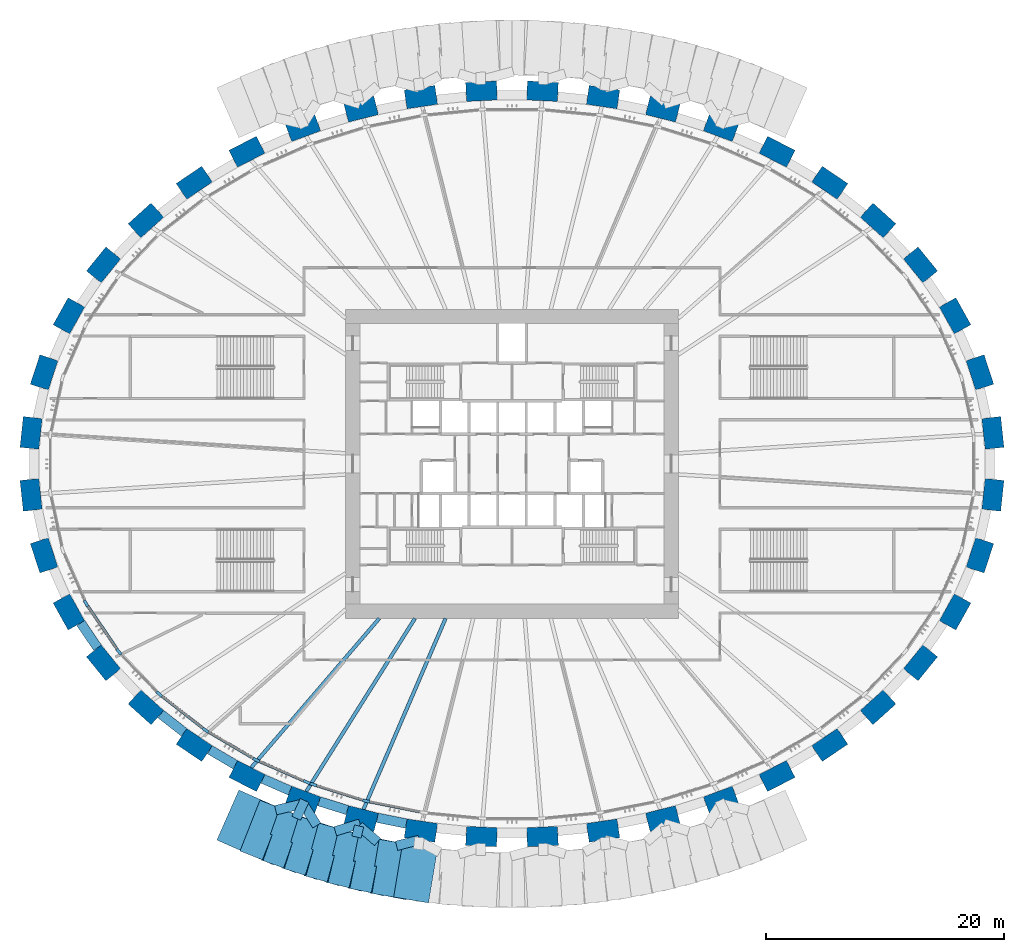
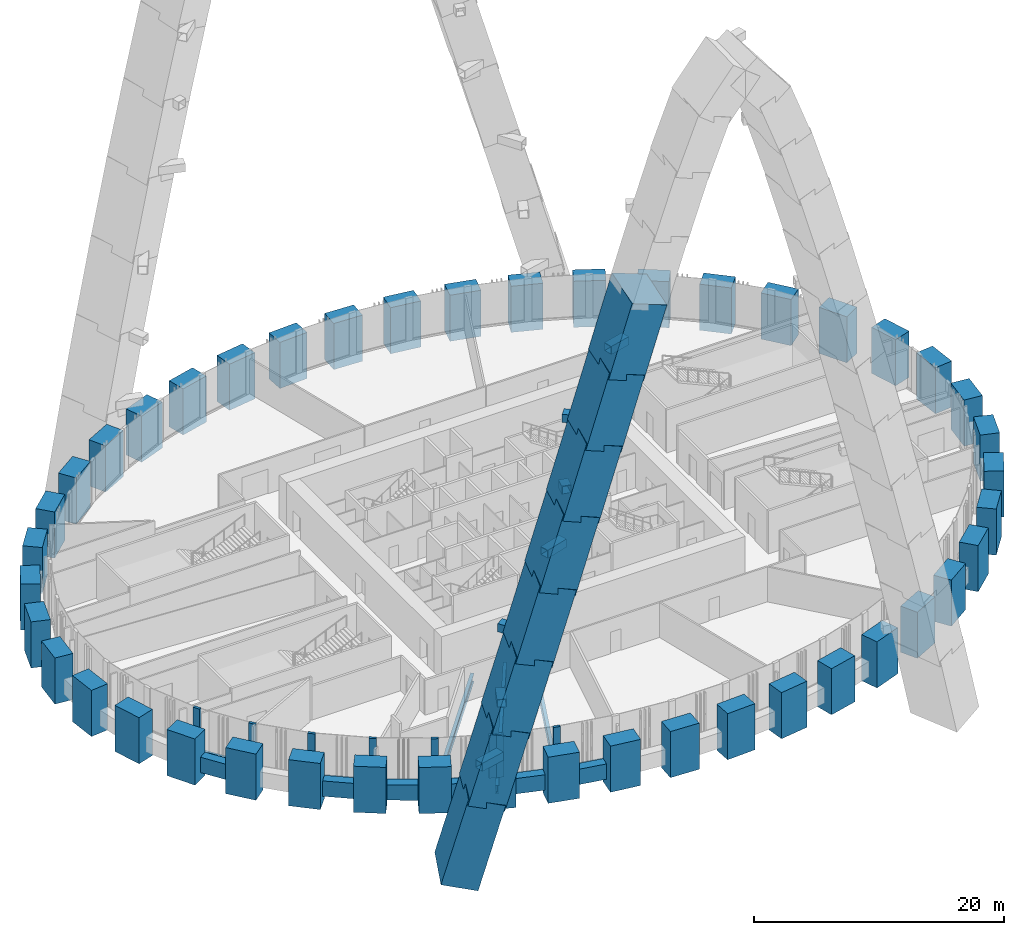
# One storey, part 1 of 23: 44 columns, 29 members, 9 beams, 2 elements without a shape of their own.
"""IFC4 building model written with IfcOpenShell, lengths in metres."""

from ifc_helpers import new_model, si_unit, direction, frame, origin, origin_2d, place, context, subcontext, project, spatial, rectangle, hollow_rectangle, i_section, extrude, source, transform, mapped, material, material_profile, profile_set, type_object, element, aggregate, save


model = new_model("IFC4")

# Units and contexts
model_context = context("Model", 3, precision=1e-05, world=origin(), true_north=direction((0.0, 1.0)))
body_context = subcontext(model_context, "Body", "Model", "MODEL_VIEW")
ifc_project = project(units=[si_unit("LENGTHUNIT", "METRE"), si_unit("AREAUNIT", "SQUARE_METRE"), si_unit("VOLUMEUNIT", "CUBIC_METRE"), si_unit("PLANEANGLEUNIT", "RADIAN"), si_unit("MASSUNIT", "GRAM", prefix="KILO")], contexts=[model_context])

# Site, building, storey
site_placement = place(None, origin())
site = spatial("IfcSite", under=ifc_project, at=site_placement, CompositionType="ELEMENT")
building_placement = place(site_placement, origin())
building = spatial("IfcBuilding", under=site, at=building_placement, Name="Embergate Tower", CompositionType="ELEMENT")
storey_placement = place(building_placement, frame((0.0, 0.0, 29.0)))
storey = spatial("IfcBuildingStorey", under=building, at=storey_placement, Name="L03", CompositionType="ELEMENT", Elevation=29.0)

# Columns
ifc_material_1 = material(Name="Concrete C70", Category="concrete")
ifc_material_profile_1 = material_profile(ifc_material_1, rectangle(XDim=1.60009765625, YDim=2.60009765625, at=origin_2d()), Name="RC 1600x2600")
ifc_profile_set_1 = profile_set([ifc_material_profile_1], Name="Concrete C70")
column_type = type_object("IfcColumnType", Name="Ring column RC 1600x2600 C70", PredefinedType="COLUMN", material=ifc_profile_set_1)
shared_shape_1 = source(origin(), body_context, "Body", "SweptSolid", [
    extrude(rectangle(XDim=1.60009765625, YDim=2.60009765625, at=origin_2d()), origin(), (0.0, 0.0, 1.0), 4.5),
])
for number, where, z_axis, x_axis, name in (
    (1, (40.4560546875, 2.60498046875, -1.5), (0.0, 0.0, 1.0), (0.994287757967, 0.106732630237, 0.0), "COL-L03-00"),
    (2, (39.361083984375, 7.694091796875, -1.5), (0.0, 0.0, 1.0), (0.950754033697, 0.309946394413, 0.0), "COL-L03-01"),
    (3, (37.27490234375, 12.451904296875, -1.5), (0.0, 0.0, 1.0), (0.873500465855, 0.486823311018, 0.0), "COL-L03-02"),
    (4, (34.362060546875, 16.737060546875, -1.5), (0.0, 0.0, 1.0), (0.775925311702, 0.630824786022, 0.0), "COL-L03-03"),
    (5, (30.7958984375, 20.47705078125, -1.5), (0.0, 0.0, 1.0), (0.669221393633, 0.743063070206, 0.0), "COL-L03-04"),
    (6, (26.73193359375, 23.64892578125, -1.5), (0.0, 0.0, 1.0), (0.560407734638, 0.828216862275, 0.0), "COL-L03-05"),
    (7, (22.297119140625, 26.256103515625, -1.5), (0.0, 0.0, 1.0), (0.453010512651, 0.891505174089, 0.0), "COL-L03-06"),
    (8, (17.590087890625, 28.31494140625, -1.5), (0.0, 0.0, 1.0), (0.348343015724, 0.93736713373, 0.0), "COL-L03-07"),
    (9, (12.69091796875, 29.841064453125, -1.5), (0.0, 0.0, 1.0), (0.24650851817, 0.969140624713, 0.0), "COL-L03-08"),
    (10, (7.6630859375, 30.84912109375, -1.5), (0.0, 0.0, 1.0), (0.146929011949, 0.989147039346, 0.0), "COL-L03-09"),
    (11, (2.56201171875, 31.35009765625, -1.5), (0.0, 0.0, 1.0), (0.048814904854, 0.998807841912, 0.0), "COL-L03-10"),
    (12, (-2.56201171875, 31.35009765625, -1.5), (0.0, 0.0, 1.0), (-0.048814904854, 0.998807841912, 0.0), "COL-L03-11"),
    (13, (-7.6630859375, 30.84912109375, -1.5), (0.0, 0.0, 1.0), (-0.146929011949, 0.989147039346, 0.0), "COL-L03-12"),
    (14, (-12.69091796875, 29.841064453125, -1.5), (0.0, 0.0, 1.0), (-0.24650851817, 0.969140624713, 0.0), "COL-L03-13"),
    (15, (-17.590087890625, 28.31494140625, -1.5), (0.0, 0.0, 1.0), (-0.348343015724, 0.93736713373, 0.0), "COL-L03-14"),
    (16, (-22.297119140625, 26.256103515625, -1.5), (0.0, 0.0, 1.0), (-0.453010512651, 0.891505174089, 0.0), "COL-L03-15"),
    (17, (-26.73193359375, 23.64892578125, -1.5), (0.0, 0.0, 1.0), (-0.560407734638, 0.828216862275, 0.0), "COL-L03-16"),
    (18, (-30.7958984375, 20.47705078125, -1.5), (0.0, 0.0, 1.0), (-0.669221393633, 0.743063070206, 0.0), "COL-L03-17"),
    (19, (-34.362060546875, 16.737060546875, -1.5), (0.0, 0.0, 1.0), (-0.775925311702, 0.630824786022, 0.0), "COL-L03-18"),
    (20, (-37.27490234375, 12.451904296875, -1.5), (0.0, 0.0, 1.0), (-0.873500465855, 0.486823311018, 0.0), "COL-L03-19"),
    (21, (-39.361083984375, 7.694091796875, -1.5), (0.0, 0.0, 1.0), (-0.950754033697, 0.309946394413, 0.0), "COL-L03-20"),
    (22, (-40.4560546875, 2.60498046875, -1.5), (0.0, 0.0, 1.0), (-0.994287757967, 0.106732630237, 0.0), "COL-L03-21"),
    (23, (-40.4560546875, -2.60498046875, -1.5), (0.0, 0.0, 1.0), (-0.994287757967, -0.106732630237, 0.0), "COL-L03-22"),
    (24, (-39.361083984375, -7.694091796875, -1.5), (0.0, 0.0, 1.0), (-0.950754033697, -0.309946394413, 0.0), "COL-L03-23"),
    (25, (-37.27490234375, -12.451904296875, -1.5), (0.0, 0.0, 1.0), (-0.873500465855, -0.486823311018, 0.0), "COL-L03-24"),
    (26, (-34.362060546875, -16.737060546875, -1.5), (0.0, 0.0, 1.0), (-0.775925311702, -0.630824786022, 0.0), "COL-L03-25"),
    (27, (-30.7958984375, -20.47705078125, -1.5), (0.0, 0.0, 1.0), (-0.669221393633, -0.743063070206, 0.0), "COL-L03-26"),
    (28, (-26.73193359375, -23.64892578125, -1.5), (0.0, 0.0, 1.0), (-0.560407734638, -0.828216862275, 0.0), "COL-L03-27"),
    (29, (-22.297119140625, -26.256103515625, -1.5), (0.0, 0.0, 1.0), (-0.453010512651, -0.891505174089, 0.0), "COL-L03-28"),
    (30, (-17.590087890625, -28.31494140625, -1.5), (0.0, 0.0, 1.0), (-0.348343015724, -0.93736713373, 0.0), "COL-L03-29"),
    (31, (-12.69091796875, -29.841064453125, -1.5), (0.0, 0.0, 1.0), (-0.24650851817, -0.969140624713, 0.0), "COL-L03-30"),
    (32, (-7.6630859375, -30.84912109375, -1.5), (0.0, 0.0, 1.0), (-0.146929011949, -0.989147039346, 0.0), "COL-L03-31"),
    (33, (-2.56201171875, -31.35009765625, -1.5), (0.0, 0.0, 1.0), (-0.048814904854, -0.998807841912, 0.0), "COL-L03-32"),
    (34, (2.56201171875, -31.35009765625, -1.5), (0.0, 0.0, 1.0), (0.048814904854, -0.998807841912, 0.0), "COL-L03-33"),
    (35, (7.6630859375, -30.84912109375, -1.5), (0.0, 0.0, 1.0), (0.146929011949, -0.989147039346, 0.0), "COL-L03-34"),
    (36, (12.69091796875, -29.841064453125, -1.5), (0.0, 0.0, 1.0), (0.24650851817, -0.969140624713, 0.0), "COL-L03-35"),
    (37, (17.590087890625, -28.31494140625, -1.5), (0.0, 0.0, 1.0), (0.348343015724, -0.93736713373, 0.0), "COL-L03-36"),
    (38, (22.297119140625, -26.256103515625, -1.5), (0.0, 0.0, 1.0), (0.453010512651, -0.891505174089, 0.0), "COL-L03-37"),
    (39, (26.73193359375, -23.64892578125, -1.5), (0.0, 0.0, 1.0), (0.560407734638, -0.828216862275, 0.0), "COL-L03-38"),
    (40, (30.7958984375, -20.47705078125, -1.5), (0.0, 0.0, 1.0), (0.669221393633, -0.743063070206, 0.0), "COL-L03-39"),
    (41, (34.362060546875, -16.737060546875, -1.5), (0.0, 0.0, 1.0), (0.775925311702, -0.630824786022, 0.0), "COL-L03-40"),
    (42, (37.27490234375, -12.451904296875, -1.5), (0.0, 0.0, 1.0), (0.873500465855, -0.486823311018, 0.0), "COL-L03-41"),
    (43, (39.361083984375, -7.694091796875, -1.5), (0.0, 0.0, 1.0), (0.950754033697, -0.309946394413, 0.0), "COL-L03-42"),
    (44, (40.4560546875, -2.60498046875, -1.5), (0.0, 0.0, 1.0), (0.994287757967, -0.106732630237, 0.0), "COL-L03-43"),
):
    element("IfcColumn", number, at=place(storey_placement, frame(where, z_axis=z_axis, x_axis=x_axis)), inside=storey, type_object=column_type, Name=name, PredefinedType="COLUMN", context=body_context, shape_type="MappedRepresentation", body=[
        mapped(shared_shape_1, transform((0.0, 0.0, 0.0))),
    ])

# Beams
ifc_material_profile_2 = material_profile(ifc_material_1, rectangle(XDim=0.800048828125, YDim=1.5, at=origin_2d()), Name="RC 800x1500")
ifc_profile_set_2 = profile_set([ifc_material_profile_2], Name="Concrete C70")
beam_type_1 = type_object("IfcBeamType", Name="Spandrel beam RC 800x1500 C70", PredefinedType="BEAM", material=ifc_profile_set_2)
shared_shape_2 = source(origin(), body_context, "Body", "SweptSolid", [
    extrude(rectangle(XDim=0.800048828125, YDim=1.5, at=origin_2d()), origin(), (0.0, 0.0, 1.0), 2.52001953125),
])
beam_1_placement = place(storey_placement, frame((-36.281005859375, -13.385986328125, 0.0), z_axis=(0.562278223056, -0.826948124054, 0.0), x_axis=(0.826948124054, 0.562278223056, 0.0)))
element("IfcBeam", 45, at=beam_1_placement, inside=storey, type_object=beam_type_1, Name="SPN-L03-24", PredefinedType="BEAM", context=body_context, shape_type="MappedRepresentation", body=[
    mapped(shared_shape_2, transform((0.0, 0.0, 0.0))),
])
shared_shape_3 = source(origin(), body_context, "Body", "SweptSolid", [
    extrude(rectangle(XDim=0.800048828125, YDim=1.5, at=origin_2d()), origin(), (0.0, 0.0, 1.0), 2.5048828125),
])
beam_2_placement = place(storey_placement, frame((-29.554931640625, -21.0419921875, 0.0), z_axis=(0.788380346305, -0.61518812534, 0.0), x_axis=(0.61518812534, 0.788380346305, 0.0)))
element("IfcBeam", 46, at=beam_2_placement, inside=storey, type_object=beam_type_1, Name="SPN-L03-26", PredefinedType="BEAM", context=body_context, shape_type="MappedRepresentation", body=[
    mapped(shared_shape_3, transform((0.0, 0.0, 0.0))),
])
shared_shape_4 = source(origin(), body_context, "Body", "SweptSolid", [
    extrude(rectangle(XDim=0.800048828125, YDim=1.5, at=origin_2d()), origin(), (0.0, 0.0, 1.0), 2.5),
])
beam_3_placement = place(storey_placement, frame((-25.429931640625, -24.044921875, 0.0), z_axis=(0.862034618657, -0.506849401929, 0.0), x_axis=(0.506849401929, 0.862034618657, 0.0)))
element("IfcBeam", 47, at=beam_3_placement, inside=storey, type_object=beam_type_1, Name="SPN-L03-27", PredefinedType="BEAM", context=body_context, shape_type="MappedRepresentation", body=[
    mapped(shared_shape_4, transform((0.0, 0.0, 0.0))),
])
shared_shape_5 = source(origin(), body_context, "Body", "SweptSolid", [
    extrude(rectangle(XDim=0.800048828125, YDim=1.5, at=origin_2d()), origin(), (0.0, 0.0, 1.0), 2.496337890625),
])
beam_4_placement = place(storey_placement, frame((-20.958984375, -26.492919921875, 0.0), z_axis=(0.916087739171, -0.400977872382, 0.0), x_axis=(0.400977872382, 0.916087739171, 0.0)))
element("IfcBeam", 48, at=beam_4_placement, inside=storey, type_object=beam_type_1, Name="SPN-L03-28", PredefinedType="BEAM", context=body_context, shape_type="MappedRepresentation", body=[
    mapped(shared_shape_5, transform((0.0, 0.0, 0.0))),
])
shared_shape_6 = source(origin(), body_context, "Body", "SweptSolid", [
    extrude(rectangle(XDim=0.800048828125, YDim=1.5, at=origin_2d()), origin(), (0.0, 0.0, 1.0), 2.49169921875),
])
beam_5_placement = place(storey_placement, frame((-16.22900390625, -28.384033203125, 0.0), z_axis=(0.954758519321, -0.297382194801, 0.0), x_axis=(0.297382194801, 0.954758519321, 0.0)))
element("IfcBeam", 49, at=beam_5_placement, inside=storey, type_object=beam_type_1, Name="SPN-L03-29", PredefinedType="BEAM", context=body_context, shape_type="MappedRepresentation", body=[
    mapped(shared_shape_6, transform((0.0, 0.0, 0.0))),
])
shared_shape_7 = source(origin(), body_context, "Body", "SweptSolid", [
    extrude(rectangle(XDim=0.800048828125, YDim=1.5, at=origin_2d()), origin(), (0.0, 0.0, 1.0), 2.49072265625),
])
beam_6_placement = place(storey_placement, frame((-11.3310546875, -29.76806640625, 0.0), z_axis=(0.980535407691, -0.196342339459, 0.0), x_axis=(0.196342339459, 0.980535407691, 0.0)))
element("IfcBeam", 50, at=beam_6_placement, inside=storey, type_object=beam_type_1, Name="SPN-L03-30", PredefinedType="BEAM", context=body_context, shape_type="MappedRepresentation", body=[
    mapped(shared_shape_7, transform((0.0, 0.0, 0.0))),
])
ifc_material_2 = material(Name="Steel Q355B", Category="steel")
ifc_material_profile_3 = material_profile(ifc_material_2, i_section(OverallWidth=0.300048828125, OverallDepth=0.800048828125, WebThickness=0.013916015625, FlangeThickness=0.02587890625, FilletRadius=0.028076171875, at=origin_2d()), Name="HN 800x300x14x26")
ifc_profile_set_3 = profile_set([ifc_material_profile_3], Name="Steel Q355 grade B")
beam_type_2 = type_object("IfcBeamType", Name="Radial girder HN 800x300x14x26", PredefinedType="BEAM", material=ifc_profile_set_3)
shared_shape_8 = source(origin(), body_context, "Body", "SweptSolid", [
    extrude(i_section(OverallWidth=0.300048828125, OverallDepth=0.800048828125, WebThickness=0.013916015625, FlangeThickness=0.02587890625, FilletRadius=0.028076171875, at=origin_2d()), origin(), (0.0, 0.0, 1.0), 16.532958984375),
])
beam_7_placement = place(storey_placement, frame((-21.93505859375, -25.54296875, -0.699951171875), z_axis=(0.651484275962, 0.758662137038, 0.0), x_axis=(-0.758662137038, 0.651484275962, 0.0)))
element("IfcBeam", 51, at=beam_7_placement, inside=storey, type_object=beam_type_2, Name="GIR-L03-28", PredefinedType="BEAM", context=body_context, shape_type="MappedRepresentation", body=[
    mapped(shared_shape_8, transform((0.0, 0.0, 0.0))),
])
shared_shape_9 = source(origin(), body_context, "Body", "SweptSolid", [
    extrude(i_section(OverallWidth=0.300048828125, OverallDepth=0.800048828125, WebThickness=0.013916015625, FlangeThickness=0.02587890625, FilletRadius=0.028076171875, at=origin_2d()), origin(), (0.0, 0.0, 1.0), 17.198974609375),
])
beam_8_placement = place(storey_placement, frame((-17.31103515625, -27.56494140625, -0.699951171875), z_axis=(0.53183253191, 0.846849548622, 0.0), x_axis=(-0.846849548622, 0.53183253191, 0.0)))
element("IfcBeam", 52, at=beam_8_placement, inside=storey, type_object=beam_type_2, Name="GIR-L03-29", PredefinedType="BEAM", context=body_context, shape_type="MappedRepresentation", body=[
    mapped(shared_shape_9, transform((0.0, 0.0, 0.0))),
])
shared_shape_10 = source(origin(), body_context, "Body", "SweptSolid", [
    extrude(i_section(OverallWidth=0.300048828125, OverallDepth=0.800048828125, WebThickness=0.013916015625, FlangeThickness=0.02587890625, FilletRadius=0.028076171875, at=origin_2d()), origin(), (0.0, 0.0, 1.0), 17.4873046875),
])
beam_9_placement = place(storey_placement, frame((-12.493896484375, -29.06591796875, -0.699951171875), z_axis=(0.39491487199, 0.918717717191, 0.0), x_axis=(-0.918717717191, 0.39491487199, 0.0)))
element("IfcBeam", 53, at=beam_9_placement, inside=storey, type_object=beam_type_2, Name="GIR-L03-30", PredefinedType="BEAM", context=body_context, shape_type="MappedRepresentation", body=[
    mapped(shared_shape_10, transform((0.0, 0.0, 0.0))),
])

# Members
ifc_material_profile_4 = material_profile(ifc_material_1, rectangle(XDim=4.60009765625, YDim=3.10009765625, at=origin_2d()), Name="RC 4600x3100")
ifc_profile_set_4 = profile_set([ifc_material_profile_4], Name="Concrete C70")
member_type_1 = type_object("IfcMemberType", Name="Arch ring masonry RC 4600x3100", PredefinedType="MEMBER", material=ifc_profile_set_4)
shared_shape_11 = source(origin(), body_context, "Body", "SweptSolid", [
    extrude(rectangle(XDim=4.60009765625, YDim=3.10009765625, at=origin_2d()), origin(), (0.0, 0.0, 1.0), 8.43896484375),
])
member_1_placement = place(storey_placement, frame((-22.534912109375, -30.14501953125, -5.300048828125), z_axis=(0.240555014134, -0.106058290056, 0.964823778877), x_axis=(0.403420744744, 0.915014591529, 0.0)))
element("IfcMember", 54, at=member_1_placement, inside=storey, type_object=member_type_1, Name="ARC-S-RG00", PredefinedType="MEMBER", context=body_context, shape_type="MappedRepresentation", body=[
    mapped(shared_shape_11, transform((0.0, 0.0, 0.0))),
])
shared_shape_12 = source(origin(), body_context, "Body", "SweptSolid", [
    extrude(rectangle(XDim=4.60009765625, YDim=3.10009765625, at=origin_2d()), origin(), (0.0, 0.0, 1.0), 7.664306640625),
])
member_2_placement = place(storey_placement, frame((-20.65087890625, -30.97900390625, 2.263916015625), z_axis=(0.245405845847, -0.096423091301, 0.964613165102), x_axis=(0.365697225871, 0.930733871195, 0.0)))
element("IfcMember", 55, at=member_2_placement, inside=storey, type_object=member_type_1, Name="ARC-S-RG01", PredefinedType="MEMBER", context=body_context, shape_type="MappedRepresentation", body=[
    mapped(shared_shape_12, transform((0.0, 0.0, 0.0))),
])
shared_shape_13 = source(origin(), body_context, "Body", "SweptSolid", [
    extrude(rectangle(XDim=4.60009765625, YDim=3.10009765625, at=origin_2d()), origin(), (0.0, 0.0, 1.0), 7.525390625),
])
member_3_placement = place(storey_placement, frame((-18.9189453125, -31.6630859375, 9.0791015625), z_axis=(0.249412764304, -0.087560490486, 0.964430626592), x_axis=(0.331246829479, 0.943544136731, 0.0)))
element("IfcMember", 56, at=member_3_placement, inside=storey, type_object=member_type_1, Name="ARC-S-RG02", PredefinedType="MEMBER", context=body_context, shape_type="MappedRepresentation", body=[
    mapped(shared_shape_13, transform((0.0, 0.0, 0.0))),
])
shared_shape_14 = source(origin(), body_context, "Body", "SweptSolid", [
    extrude(rectangle(XDim=4.60009765625, YDim=3.10009765625, at=origin_2d()), origin(), (0.0, 0.0, 1.0), 7.531982421875),
])
member_4_placement = place(storey_placement, frame((-17.193115234375, -32.27197265625, 15.759033203125), z_axis=(0.253345446882, -0.078992176824, 0.964145383511), x_axis=(0.297662911935, 0.954671038033, 0.0)))
element("IfcMember", 57, at=member_4_placement, inside=storey, type_object=member_type_1, Name="ARC-S-RG03", PredefinedType="MEMBER", context=body_context, shape_type="MappedRepresentation", body=[
    mapped(shared_shape_14, transform((0.0, 0.0, 0.0))),
])
shared_shape_15 = source(origin(), body_context, "Body", "SweptSolid", [
    extrude(rectangle(XDim=4.60009765625, YDim=3.10009765625, at=origin_2d()), origin(), (0.0, 0.0, 1.0), 7.528564453125),
])
member_5_placement = place(storey_placement, frame((-15.43798828125, -32.822021484375, 22.443115234375), z_axis=(0.257288041621, -0.070272647617, 0.963776228507), x_axis=(0.263477469912, 0.964665549737, 0.0)))
element("IfcMember", 58, at=member_5_placement, inside=storey, type_object=member_type_1, Name="ARC-S-RG04", PredefinedType="MEMBER", context=body_context, shape_type="MappedRepresentation", body=[
    mapped(shared_shape_15, transform((0.0, 0.0, 0.0))),
])
shared_shape_16 = source(origin(), body_context, "Body", "SweptSolid", [
    extrude(rectangle(XDim=4.60009765625, YDim=3.10009765625, at=origin_2d()), origin(), (0.0, 0.0, 1.0), 7.391845703125),
])
member_6_placement = place(storey_placement, frame((-13.656005859375, -33.31103515625, 29.12109375), z_axis=(0.261521076878, -0.061829686274, 0.963215352994), x_axis=(0.230080480463, 0.973171604862, 0.0)))
element("IfcMember", 59, at=member_6_placement, inside=storey, type_object=member_type_1, Name="ARC-S-RG05", PredefinedType="MEMBER", context=body_context, shape_type="MappedRepresentation", body=[
    mapped(shared_shape_16, transform((0.0, 0.0, 0.0))),
])
shared_shape_17 = source(origin(), body_context, "Body", "SweptSolid", [
    extrude(rectangle(XDim=4.60009765625, YDim=3.10009765625, at=origin_2d()), origin(), (0.0, 0.0, 1.0), 7.336181640625),
])
member_7_placement = place(storey_placement, frame((-11.881103515625, -33.73291015625, 35.6630859375), z_axis=(0.266627940432, -0.053445390955, 0.962316544369), x_axis=(0.196539734428, 0.98049586067, 0.0)))
element("IfcMember", 60, at=member_7_placement, inside=storey, type_object=member_type_1, Name="ARC-S-RG06", PredefinedType="MEMBER", context=body_context, shape_type="MappedRepresentation", body=[
    mapped(shared_shape_17, transform((0.0, 0.0, 0.0))),
])
shared_shape_18 = source(origin(), body_context, "Body", "SweptSolid", [
    extrude(rectangle(XDim=4.60009765625, YDim=3.10009765625, at=origin_2d()), origin(), (0.0, 0.0, 1.0), 7.232177734375),
])
member_8_placement = place(storey_placement, frame((-10.0869140625, -34.094970703125, 42.14599609375), z_axis=(0.273335102897, -0.045505214117, 0.960841920928), x_axis=(0.164221184811, 0.986423541112, 0.0)))
element("IfcMember", 61, at=member_8_placement, inside=storey, type_object=member_type_1, Name="ARC-S-RG07", PredefinedType="MEMBER", context=body_context, shape_type="MappedRepresentation", body=[
    mapped(shared_shape_18, transform((0.0, 0.0, 0.0))),
])
ifc_material_3 = material(Name="Steel Q355D", Category="steel")
ifc_material_profile_5 = material_profile(ifc_material_3, hollow_rectangle(XDim=0.800048828125, YDim=0.800048828125, WallThickness=0.0400390625, at=origin_2d()), Name="BOX 800x800x40")
ifc_profile_set_5 = profile_set([ifc_material_profile_5], Name="Steel Q355 grade D")
member_type_2 = type_object("IfcMemberType", Name="Arch ring tie BOX 800x800x40", PredefinedType="STRUT", material=ifc_profile_set_5)
shared_shape_19 = source(origin(), body_context, "Body", "SweptSolid", [
    extrude(hollow_rectangle(XDim=0.800048828125, YDim=0.800048828125, WallThickness=0.0400390625, at=origin_2d()), origin(), (0.0, 0.0, 1.0), 2.318359375),
])
member_9_placement = place(storey_placement, frame((-17.6240234375, -28.597900390625, 3.5), z_axis=(-0.9729957038, -0.230823223239, 0.0), x_axis=(0.230823223239, -0.9729957038, 0.0)))
element("IfcMember", 62, at=member_9_placement, inside=storey, type_object=member_type_2, Name="ARC-S-AT01", PredefinedType="STRUT", context=body_context, shape_type="MappedRepresentation", body=[
    mapped(shared_shape_19, transform((0.0, 0.0, 0.0))),
])
shared_shape_20 = source(origin(), body_context, "Body", "SweptSolid", [
    extrude(hollow_rectangle(XDim=0.800048828125, YDim=0.800048828125, WallThickness=0.0400390625, at=origin_2d()), origin(), (0.0, 0.0, 1.0), 1.651123046875),
])
member_10_placement = place(storey_placement, frame((-17.447998046875, -28.318115234375, 9.367919921875), z_axis=(-0.423338722493, -0.905971481912, 0.0), x_axis=(0.905971481912, -0.423338722493, 0.0)))
element("IfcMember", 63, at=member_10_placement, inside=storey, type_object=member_type_2, Name="ARC-S-AT02", PredefinedType="STRUT", context=body_context, shape_type="MappedRepresentation", body=[
    mapped(shared_shape_20, transform((0.0, 0.0, 0.0))),
])
shared_shape_21 = source(origin(), body_context, "Body", "SweptSolid", [
    extrude(hollow_rectangle(XDim=0.800048828125, YDim=0.800048828125, WallThickness=0.0400390625, at=origin_2d()), origin(), (0.0, 0.0, 1.0), 2.205810546875),
])
member_11_placement = place(storey_placement, frame((-17.597900390625, -28.555908203125, 16.048095703125), z_axis=(0.534022139973, -0.845470492695, 0.0), x_axis=(0.845470492695, 0.534022139973, 0.0)))
element("IfcMember", 64, at=member_11_placement, inside=storey, type_object=member_type_2, Name="ARC-S-AT03", PredefinedType="STRUT", context=body_context, shape_type="MappedRepresentation", body=[
    mapped(shared_shape_21, transform((0.0, 0.0, 0.0))),
])
shared_shape_22 = source(origin(), body_context, "Body", "SweptSolid", [
    extrude(hollow_rectangle(XDim=0.800048828125, YDim=0.800048828125, WallThickness=0.0400390625, at=origin_2d()), origin(), (0.0, 0.0, 1.0), 2.180419921875),
])
member_12_placement = place(storey_placement, frame((-12.781982421875, -30.27001953125, 23.60009765625), z_axis=(-0.956653537909, -0.291228447109, 0.0), x_axis=(0.291228447109, -0.956653537909, 0.0)))
element("IfcMember", 65, at=member_12_placement, inside=storey, type_object=member_type_2, Name="ARC-S-AT04", PredefinedType="STRUT", context=body_context, shape_type="MappedRepresentation", body=[
    mapped(shared_shape_22, transform((0.0, 0.0, 0.0))),
])
shared_shape_23 = source(origin(), body_context, "Body", "SweptSolid", [
    extrude(hollow_rectangle(XDim=0.800048828125, YDim=0.800048828125, WallThickness=0.0400390625, at=origin_2d()), origin(), (0.0, 0.0, 1.0), 0.9560546875),
])
member_13_placement = place(storey_placement, frame((-12.864013671875, -30.4619140625, 29.409912109375), z_axis=(-0.231102646574, -0.972929373976, 0.0), x_axis=(0.972929373976, -0.231102646574, 0.0)))
element("IfcMember", 66, at=member_13_placement, inside=storey, type_object=member_type_2, Name="ARC-S-AT05", PredefinedType="STRUT", context=body_context, shape_type="MappedRepresentation", body=[
    mapped(shared_shape_23, transform((0.0, 0.0, 0.0))),
])
shared_shape_24 = source(origin(), body_context, "Body", "SweptSolid", [
    extrude(hollow_rectangle(XDim=0.800048828125, YDim=0.800048828125, WallThickness=0.0400390625, at=origin_2d()), origin(), (0.0, 0.0, 1.0), 2.059326171875),
])
member_14_placement = place(storey_placement, frame((-12.864013671875, -30.4619140625, 36.0), z_axis=(0.755528684632, -0.655115567437, 0.0), x_axis=(0.655115567437, 0.755528684632, 0.0)))
element("IfcMember", 67, at=member_14_placement, inside=storey, type_object=member_type_2, Name="ARC-S-AT06", PredefinedType="STRUT", context=body_context, shape_type="MappedRepresentation", body=[
    mapped(shared_shape_24, transform((0.0, 0.0, 0.0))),
])
shared_shape_25 = source(origin(), body_context, "Body", "SweptSolid", [
    extrude(hollow_rectangle(XDim=0.800048828125, YDim=0.800048828125, WallThickness=0.0400390625, at=origin_2d()), origin(), (0.0, 0.0, 1.0), 1.968994140625),
])
member_15_placement = place(storey_placement, frame((-7.804931640625, -31.636962890625, 42.43408203125), z_axis=(-0.967998013757, -0.25095785575, 0.0), x_axis=(0.25095785575, -0.967998013757, 0.0)))
element("IfcMember", 68, at=member_15_placement, inside=storey, type_object=member_type_2, Name="ARC-S-AT07", PredefinedType="STRUT", context=body_context, shape_type="MappedRepresentation", body=[
    mapped(shared_shape_25, transform((0.0, 0.0, 0.0))),
])

# Curtain wall, members
ifc_material_4 = material(Name="Aluminium and glass", Category="aluminium")
curtain_wall_type = type_object("IfcCurtainWallType", Name="Podium base glazing", PredefinedType="NOTDEFINED", material=ifc_material_4)
curtain_wall_1_placement = place(storey_placement, origin())
curtain_wall_1 = element("IfcCurtainWall", 69, at=curtain_wall_1_placement, inside=storey, type_object=curtain_wall_type, Name="Podium base glazing run 2", ObjectType="PODIUM BASE GLAZING", PredefinedType="USERDEFINED")
ifc_material_5 = material(Name="Aluminium, thermally broken", Category="aluminium")
ifc_material_profile_6 = material_profile(ifc_material_5, rectangle(XDim=0.239990234375, YDim=0.60009765625, at=origin_2d()), Name="AL 600x240")
ifc_profile_set_6 = profile_set([ifc_material_profile_6], Name="Aluminium, thermally broken")
member_type_3 = type_object("IfcMemberType", Name="Base mullion", PredefinedType="MULLION", material=ifc_profile_set_6)
shared_shape_26 = source(origin(), body_context, "Body", "SweptSolid", [
    extrude(rectangle(XDim=0.239990234375, YDim=0.60009765625, at=origin_2d()), origin(), (0.0, 0.0, 1.0), 4.199951171875),
])
member_16_placement = place(storey_placement, frame((-35.839111328125, -11.736083984375, 0.0), z_axis=(0.0, 0.0, 1.0), x_axis=(0.875006965472, 0.484110328723, 0.0)))
member_16 = element("IfcMember", 70, at=member_16_placement, type_object=member_type_3, Name="CW mullion 10", PredefinedType="MULLION", context=body_context, shape_type="MappedRepresentation", body=[
    mapped(shared_shape_26, transform((0.0, 0.0, 0.0))),
])
member_17_placement = place(storey_placement, frame((-33.073486328125, -15.802978515625, 0.0), z_axis=(0.0, 0.0, 1.0), x_axis=(0.777880241921, 0.628412547002, 0.0)))
member_17 = element("IfcMember", 71, at=member_17_placement, type_object=member_type_3, Name="CW mullion 11", PredefinedType="MULLION", context=body_context, shape_type="MappedRepresentation", body=[
    mapped(shared_shape_26, transform((0.0, 0.0, 0.0))),
])
member_18_placement = place(storey_placement, frame((-29.6728515625, -19.368896484375, 0.0), z_axis=(0.0, 0.0, 1.0), x_axis=(0.671235590011, 0.741244077684, 0.0)))
member_18 = element("IfcMember", 72, at=member_18_placement, type_object=member_type_3, Name="CW mullion 12", PredefinedType="MULLION", context=body_context, shape_type="MappedRepresentation", body=[
    mapped(shared_shape_26, transform((0.0, 0.0, 0.0))),
])
member_19_placement = place(storey_placement, frame((-25.7822265625, -22.405517578125, 0.0), z_axis=(0.0, 0.0, 1.0), x_axis=(0.562226278725, 0.826983440893, 0.0)))
member_19 = element("IfcMember", 73, at=member_19_placement, type_object=member_type_3, Name="CW mullion 13", PredefinedType="MULLION", context=body_context, shape_type="MappedRepresentation", body=[
    mapped(shared_shape_26, transform((0.0, 0.0, 0.0))),
])
member_20_placement = place(storey_placement, frame((-21.522216796875, -24.91015625, 0.0), z_axis=(0.0, 0.0, 1.0), x_axis=(0.45451915369, 0.89073696394, 0.0)))
member_20 = element("IfcMember", 74, at=member_20_placement, type_object=member_type_3, Name="CW mullion 14", PredefinedType="MULLION", context=body_context, shape_type="MappedRepresentation", body=[
    mapped(shared_shape_26, transform((0.0, 0.0, 0.0))),
])
member_21_placement = place(storey_placement, frame((-17.2646484375, -26.771728515625, 0.0), z_axis=(0.0, 0.0, 1.0), x_axis=(0.400648090553, 0.916232016214, 0.0)))
member_21 = element("IfcMember", 75, at=member_21_placement, type_object=member_type_3, Name="CW mullion 15", PredefinedType="MULLION", context=body_context, shape_type="MappedRepresentation", body=[
    mapped(shared_shape_26, transform((0.0, 0.0, 0.0))),
])

curtain_wall_2_placement = place(storey_placement, origin())
curtain_wall_2 = element("IfcCurtainWall", 76, at=curtain_wall_2_placement, inside=storey, type_object=curtain_wall_type, Name="Podium base glazing run 3", ObjectType="PODIUM BASE GLAZING", PredefinedType="USERDEFINED")
member_22_placement = place(storey_placement, frame((-16.703369140625, -26.981201171875, 0.0), z_axis=(0.0, 0.0, 1.0), x_axis=(0.297346545624, 0.954769622373, 0.0)))
member_22 = element("IfcMember", 77, at=member_22_placement, type_object=member_type_3, Name="CW mullion 1", PredefinedType="MULLION", context=body_context, shape_type="MappedRepresentation", body=[
    mapped(shared_shape_26, transform((0.0, 0.0, 0.0))),
])
member_23_placement = place(storey_placement, frame((-12.263427734375, -28.364013671875, 0.0), z_axis=(0.0, 0.0, 1.0), x_axis=(0.247316954703, 0.968934633459, 0.0)))
member_23 = element("IfcMember", 78, at=member_23_placement, type_object=member_type_3, Name="CW mullion 2", PredefinedType="MULLION", context=body_context, shape_type="MappedRepresentation", body=[
    mapped(shared_shape_26, transform((0.0, 0.0, 0.0))),
])

# Member
ifc_material_profile_7 = material_profile(ifc_material_5, rectangle(XDim=0.239990234375, YDim=0.159912109375, at=origin_2d()), Name="AL 160x240")
ifc_profile_set_7 = profile_set([ifc_material_profile_7], Name="Aluminium, thermally broken")
member_type_4 = type_object("IfcMemberType", Name="Base transom", PredefinedType="USERDEFINED", material=ifc_profile_set_7)
shared_shape_27 = source(origin(), body_context, "Body", "SweptSolid", [
    extrude(rectangle(XDim=0.239990234375, YDim=0.159912109375, at=origin_2d()), origin(), (0.0, 0.0, 1.0), 4.318115234375),
])
member_24_placement = place(storey_placement, frame((-35.67041015625, -11.984130859375, 0.080078125), z_axis=(0.562348683392, -0.826900210598, 0.0), x_axis=(0.826900210598, 0.562348683392, 0.0)))
member_24 = element("IfcMember", 79, at=member_24_placement, type_object=member_type_4, Name="CW transom 10.1", ObjectType="TRANSOM", PredefinedType="USERDEFINED", context=body_context, shape_type="MappedRepresentation", body=[
    mapped(shared_shape_27, transform((0.0, 0.0, 0.0))),
])

shared_shape_28 = source(origin(), body_context, "Body", "SweptSolid", [
    extrude(rectangle(XDim=0.239990234375, YDim=0.159912109375, at=origin_2d()), origin(), (0.0, 0.0, 1.0), 4.335205078125),
])
member_25_placement = place(storey_placement, frame((-29.436279296875, -19.553466796875, 0.080078125), z_axis=(0.788295797009, -0.615296462218, 0.0), x_axis=(0.615296462218, 0.788295797009, 0.0)))
member_25 = element("IfcMember", 80, at=member_25_placement, type_object=member_type_4, Name="CW transom 12.1", ObjectType="TRANSOM", PredefinedType="USERDEFINED", context=body_context, shape_type="MappedRepresentation", body=[
    mapped(shared_shape_28, transform((0.0, 0.0, 0.0))),
])

shared_shape_29 = source(origin(), body_context, "Body", "SweptSolid", [
    extrude(rectangle(XDim=0.239990234375, YDim=0.159912109375, at=origin_2d()), origin(), (0.0, 0.0, 1.0), 4.341796875),
])
member_26_placement = place(storey_placement, frame((-25.523681640625, -22.5576171875, 0.080078125), z_axis=(0.862062837131, -0.506801405718, 0.0), x_axis=(0.506801405718, 0.862062837131, 0.0)))
member_26 = element("IfcMember", 81, at=member_26_placement, type_object=member_type_4, Name="CW transom 13.1", ObjectType="TRANSOM", PredefinedType="USERDEFINED", context=body_context, shape_type="MappedRepresentation", body=[
    mapped(shared_shape_29, transform((0.0, 0.0, 0.0))),
])

shared_shape_30 = source(origin(), body_context, "Body", "SweptSolid", [
    extrude(rectangle(XDim=0.239990234375, YDim=0.159912109375, at=origin_2d()), origin(), (0.0, 0.0, 1.0), 4.3525390625),
])
member_27_placement = place(storey_placement, frame((-11.96923828125, -28.423095703125, 0.080078125), z_axis=(0.980483473703, -0.196601520328, 0.0), x_axis=(0.196601520328, 0.980483473703, 0.0)))
member_27 = element("IfcMember", 82, at=member_27_placement, type_object=member_type_4, Name="CW transom 2.1", ObjectType="TRANSOM", PredefinedType="USERDEFINED", context=body_context, shape_type="MappedRepresentation", body=[
    mapped(shared_shape_30, transform((0.0, 0.0, 0.0))),
])

shared_shape_31 = source(origin(), body_context, "Body", "SweptSolid", [
    extrude(rectangle(XDim=0.239990234375, YDim=0.159912109375, at=origin_2d()), origin(), (0.0, 0.0, 1.0), 4.046875),
])
member_28_placement = place(storey_placement, frame((-21.247314453125, -25.0302734375, 0.080078125), z_axis=(0.916230704483, -0.400651090306, 0.0), x_axis=(0.400651090306, 0.916230704483, 0.0)))
member_28 = element("IfcMember", 83, at=member_28_placement, type_object=member_type_4, Name="CW transom 14.1", ObjectType="TRANSOM", PredefinedType="USERDEFINED", context=body_context, shape_type="MappedRepresentation", body=[
    mapped(shared_shape_31, transform((0.0, 0.0, 0.0))),
])

aggregate(curtain_wall_1, [member_16, member_17, member_18, member_19, member_20, member_21, member_24, member_25, member_26, member_28])

shared_shape_32 = source(origin(), body_context, "Body", "SweptSolid", [
    extrude(rectangle(XDim=0.239990234375, YDim=0.159912109375, at=origin_2d()), origin(), (0.0, 0.0, 1.0), 4.050537109375),
])
member_29_placement = place(storey_placement, frame((-16.4169921875, -27.0703125, 0.080078125), z_axis=(0.954754135402, -0.297396269197, 0.0), x_axis=(0.297396269197, 0.954754135402, 0.0)))
member_29 = element("IfcMember", 84, at=member_29_placement, type_object=member_type_4, Name="CW transom 1.1", ObjectType="TRANSOM", PredefinedType="USERDEFINED", context=body_context, shape_type="MappedRepresentation", body=[
    mapped(shared_shape_32, transform((0.0, 0.0, 0.0))),
])

aggregate(curtain_wall_2, [member_22, member_23, member_29, member_27])

save(model, "model.ifc")
